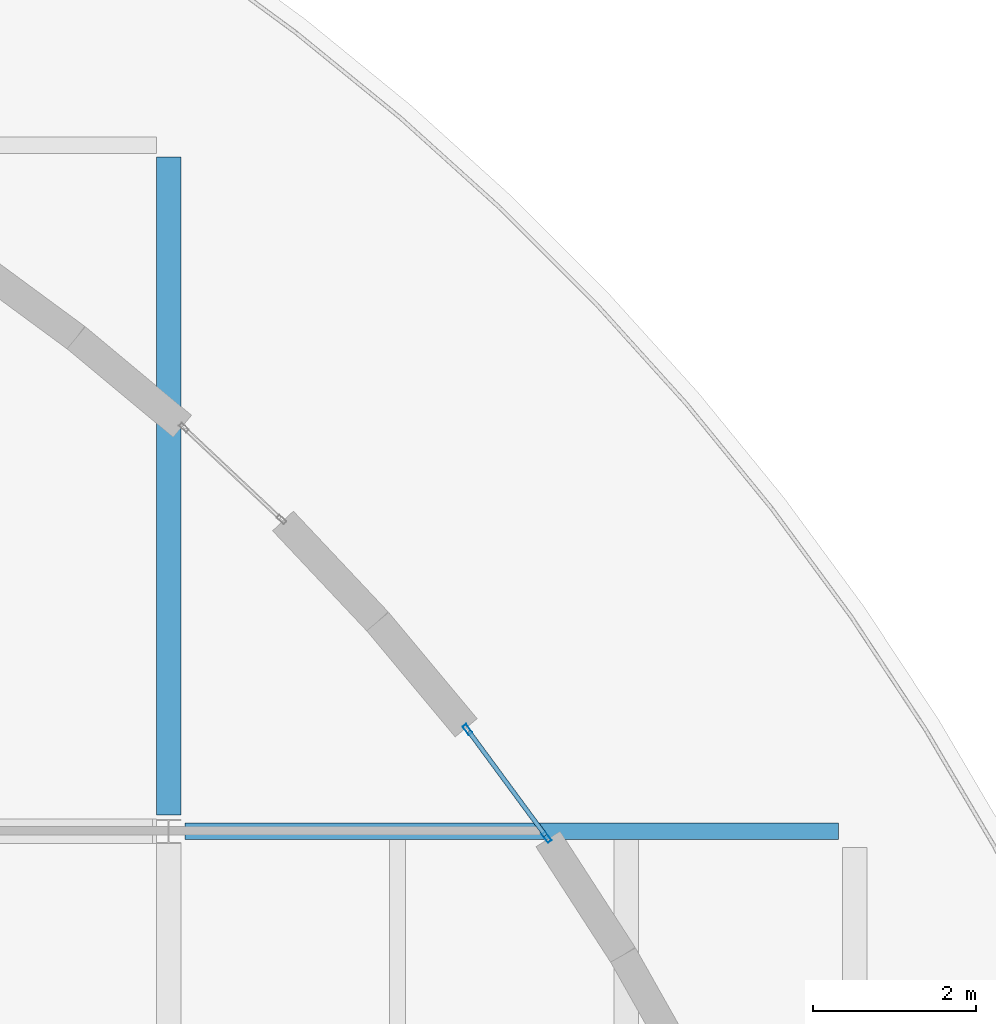
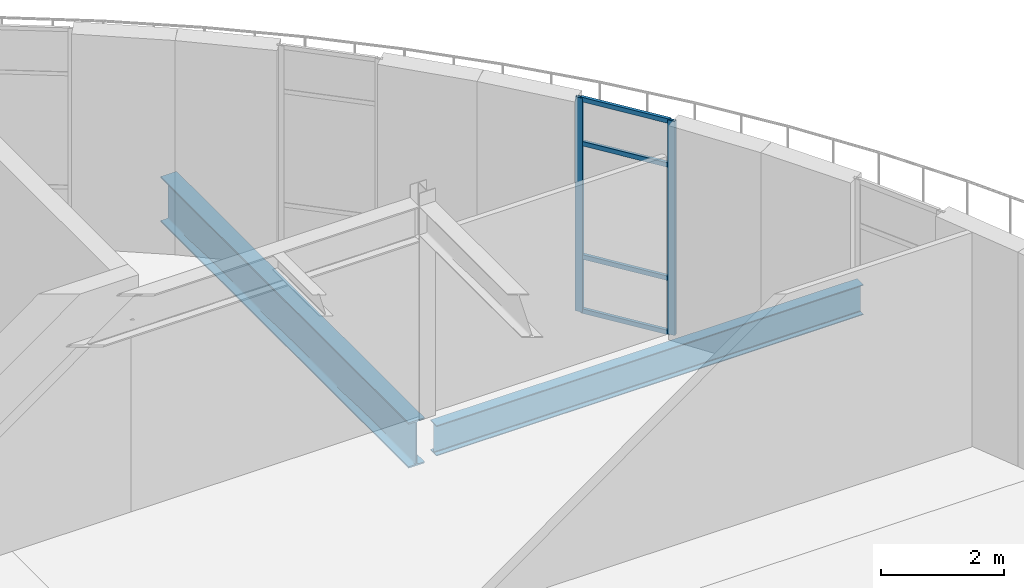
# One storey, part 9 of 26: 6 members, 2 beams, 1 element without a shape of its own.
"""IFC4 building model written with IfcOpenShell, lengths in metres."""

from ifc_helpers import new_model, si_unit, direction, frame, origin, origin_2d, place, context, subcontext, project, spatial, hollow_rectangle, i_section, extrude, material, layer, layer_set, material_profile, profile_set, type_object, element, aggregate, save


model = new_model("IFC4")

# Units and contexts
model_context = context("Model", 3, precision=1e-05, world=origin(), true_north=direction((0.0, 1.0)))
body_context = subcontext(model_context, "Body", "Model", "MODEL_VIEW")
ifc_project = project(units=[si_unit("LENGTHUNIT", "METRE"), si_unit("AREAUNIT", "SQUARE_METRE"), si_unit("VOLUMEUNIT", "CUBIC_METRE"), si_unit("PLANEANGLEUNIT", "RADIAN"), si_unit("MASSUNIT", "GRAM", prefix="KILO"), si_unit("THERMODYNAMICTEMPERATUREUNIT", "KELVIN")], contexts=[model_context])

# Site, building, storey
site_placement = place(None, origin())
site = spatial("IfcSite", under=ifc_project, at=site_placement, CompositionType="ELEMENT")
building_placement = place(site_placement, origin())
building = spatial("IfcBuilding", under=site, at=building_placement, Name="Lustrewick Department Store", CompositionType="ELEMENT")
storey_placement = place(building_placement, frame((0.0, 0.0, 36.300048828125)))
storey = spatial("IfcBuildingStorey", under=building, at=storey_placement, Name="L08", CompositionType="ELEMENT", Elevation=36.300048828125)

# Curtain wall, members
ifc_material_1 = material(Name="Thermally broken aluminium 6063-T5", Category="aluminium")
ifc_layer = layer(ifc_material_1, 0.1298828125, Name="Thermally broken aluminium 6063-T5")
ifc_layer_set = layer_set([ifc_layer], Name="Thermally broken aluminium 6063-T5")
curtain_wall_type = type_object("IfcCurtainWallType", Name="CW07", PredefinedType="NOTDEFINED", material=ifc_layer_set)
curtain_wall_placement = place(storey_placement, origin())
curtain_wall = element("IfcCurtainWall", 1, at=curtain_wall_placement, inside=storey, type_object=curtain_wall_type, Name="L08 V4 Curtain Wall CW07", PredefinedType="NOTDEFINED")
ifc_material_profile_1 = material_profile(ifc_material_1, hollow_rectangle(XDim=0.054931640625, YDim=0.1298828125, WallThickness=0.00341796875, at=origin_2d()), Name="ALU-M 55x130x3.5")
ifc_profile_set_1 = profile_set([ifc_material_profile_1], Name="Thermally broken aluminium 6063-T5")
member_type_1 = type_object("IfcMemberType", Name="CW07-M1", PredefinedType="MULLION", material=ifc_profile_set_1)
member_1_placement = place(storey_placement, frame((139.027099609375, 75.52783203125, 0.0), z_axis=(0.0, 0.0, 1.0), x_axis=(-0.805450953148, -0.59266243518, 0.0)))
member_1 = element("IfcMember", 2, at=member_1_placement, type_object=member_type_1, Name="CW07 mullion 1", PredefinedType="MULLION", context=body_context, shape_type="SweptSolid", body=[
    extrude(hollow_rectangle(XDim=0.054931640625, YDim=0.1298828125, WallThickness=0.00341796875, at=origin_2d()), origin(), (0.0, 0.0, 1.0), 4.244873046875),
])
member_2_placement = place(storey_placement, frame((138.057373046875, 76.845947265625, 0.0), z_axis=(0.0, 0.0, 1.0), x_axis=(-0.805450953148, -0.59266243518, 0.0)))
member_2 = element("IfcMember", 3, at=member_2_placement, type_object=member_type_1, Name="CW07 mullion 2", PredefinedType="MULLION", context=body_context, shape_type="SweptSolid", body=[
    extrude(hollow_rectangle(XDim=0.054931640625, YDim=0.1298828125, WallThickness=0.00341796875, at=origin_2d()), origin(), (0.0, 0.0, 1.0), 4.244873046875),
])
ifc_material_profile_2 = material_profile(ifc_material_1, hollow_rectangle(XDim=0.054931640625, YDim=0.090087890625, WallThickness=0.0029296875, at=origin_2d()), Name="ALU-T 55x90x3")
ifc_profile_set_2 = profile_set([ifc_material_profile_2], Name="Thermally broken aluminium 6063-T5")
member_type_2 = type_object("IfcMemberType", Name="CW07-T1", PredefinedType="USERDEFINED", material=ifc_profile_set_2)
member_3_placement = place(storey_placement, frame((139.010986328125, 75.550048828125, 0.02734375), z_axis=(-0.592688086477, 0.805432077924, 0.0), x_axis=(-0.805432077924, -0.592688086477, 0.0)))
member_3 = element("IfcMember", 4, at=member_3_placement, type_object=member_type_2, Name="CW07 transom 1.1", ObjectType="TRANSOM", PredefinedType="USERDEFINED", context=body_context, shape_type="SweptSolid", body=[
    extrude(hollow_rectangle(XDim=0.054931640625, YDim=0.090087890625, WallThickness=0.0029296875, at=origin_2d()), origin(), (0.0, 0.0, 1.0), 1.581298828125),
])
member_4_placement = place(storey_placement, frame((139.010986328125, 75.550048828125, 1.099853515625), z_axis=(-0.592688086477, 0.805432077924, 0.0), x_axis=(-0.805432077924, -0.592688086477, 0.0)))
member_4 = element("IfcMember", 5, at=member_4_placement, type_object=member_type_2, Name="CW07 transom 1.2", ObjectType="TRANSOM", PredefinedType="USERDEFINED", context=body_context, shape_type="SweptSolid", body=[
    extrude(hollow_rectangle(XDim=0.054931640625, YDim=0.090087890625, WallThickness=0.0029296875, at=origin_2d()), origin(), (0.0, 0.0, 1.0), 1.581298828125),
])
member_5_placement = place(storey_placement, frame((139.010986328125, 75.550048828125, 3.344970703125), z_axis=(-0.592688086477, 0.805432077924, 0.0), x_axis=(-0.805432077924, -0.592688086477, 0.0)))
member_5 = element("IfcMember", 6, at=member_5_placement, type_object=member_type_2, Name="CW07 transom 1.3", ObjectType="TRANSOM", PredefinedType="USERDEFINED", context=body_context, shape_type="SweptSolid", body=[
    extrude(hollow_rectangle(XDim=0.054931640625, YDim=0.090087890625, WallThickness=0.0029296875, at=origin_2d()), origin(), (0.0, 0.0, 1.0), 1.581298828125),
])
member_6_placement = place(storey_placement, frame((139.010986328125, 75.550048828125, 4.217529296875), z_axis=(-0.592688086477, 0.805432077924, 0.0), x_axis=(-0.805432077924, -0.592688086477, 0.0)))
member_6 = element("IfcMember", 7, at=member_6_placement, type_object=member_type_2, Name="CW07 transom 1.4", ObjectType="TRANSOM", PredefinedType="USERDEFINED", context=body_context, shape_type="SweptSolid", body=[
    extrude(hollow_rectangle(XDim=0.054931640625, YDim=0.090087890625, WallThickness=0.0029296875, at=origin_2d()), origin(), (0.0, 0.0, 1.0), 1.581298828125),
])
aggregate(curtain_wall, [member_1, member_2, member_3, member_4, member_5, member_6])

# Beams
ifc_material_2 = material(Name="Structural steel Q355C", Category="steel")
ifc_material_profile_3 = material_profile(ifc_material_2, i_section(OverallWidth=0.300048828125, OverallDepth=0.89990234375, WebThickness=0.01611328125, FlangeThickness=0.028076171875, FilletRadius=0.02392578125, at=origin_2d()), Name="HN 900x300x16x28")
ifc_profile_set_3 = profile_set([ifc_material_profile_3], Name="Structural steel Q355C")
beam_type_1 = type_object("IfcBeamType", Name="G02", PredefinedType="BEAM", material=ifc_profile_set_3)
beam_1_placement = place(storey_placement, frame((134.39990234375, 75.800048828125, -0.705078125), z_axis=(0.0, 1.0, 0.0), x_axis=(-1.0, 0.0, 0.0)))
element("IfcBeam", 8, at=beam_1_placement, inside=storey, type_object=beam_type_1, Name="L08 V4 Girder G02", PredefinedType="BEAM", context=body_context, shape_type="SweptSolid", body=[
    extrude(i_section(OverallWidth=0.300048828125, OverallDepth=0.89990234375, WebThickness=0.01611328125, FlangeThickness=0.028076171875, FilletRadius=0.02392578125, at=origin_2d()), origin(), (0.0, 0.0, 1.0), 8.052978515625),
])
ifc_material_3 = material(Name="Structural steel Q355B", Category="steel")
ifc_material_profile_4 = material_profile(ifc_material_3, i_section(OverallWidth=0.199951171875, OverallDepth=0.60009765625, WebThickness=0.010986328125, FlangeThickness=0.01708984375, FilletRadius=0.01806640625, at=origin_2d()), Name="HN 600x200x11x17")
ifc_profile_set_4 = profile_set([ifc_material_profile_4], Name="Structural steel Q355B")
beam_type_2 = type_object("IfcBeamType", Name="G14", PredefinedType="BEAM", material=ifc_profile_set_4)
beam_2_placement = place(storey_placement, frame((134.60009765625, 75.60009765625, -0.554931640625), z_axis=(1.0, 0.0, 0.0), x_axis=(0.0, 1.0, 0.0)))
element("IfcBeam", 9, at=beam_2_placement, inside=storey, type_object=beam_type_2, Name="L08 V4 Girder G14", PredefinedType="BEAM", context=body_context, shape_type="SweptSolid", body=[
    extrude(i_section(OverallWidth=0.199951171875, OverallDepth=0.60009765625, WebThickness=0.010986328125, FlangeThickness=0.01708984375, FilletRadius=0.01806640625, at=origin_2d()), origin(), (0.0, 0.0, 1.0), 8.0),
])

save(model, "model.ifc")
